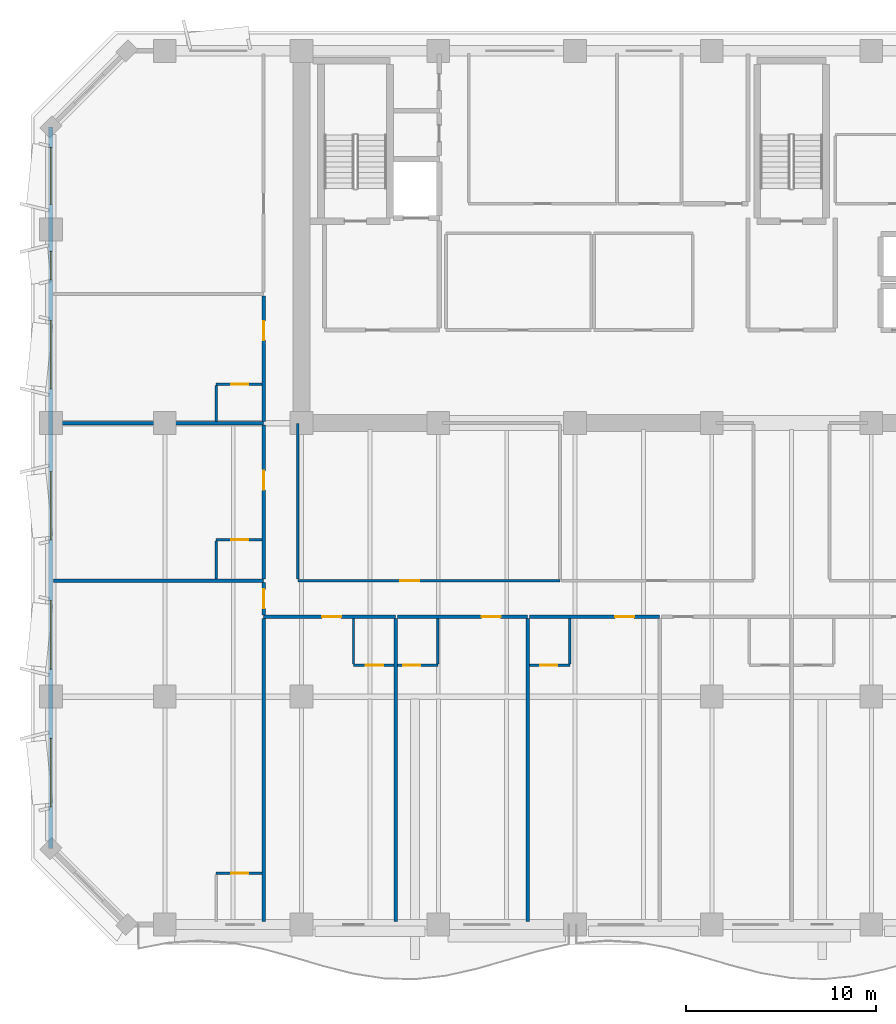
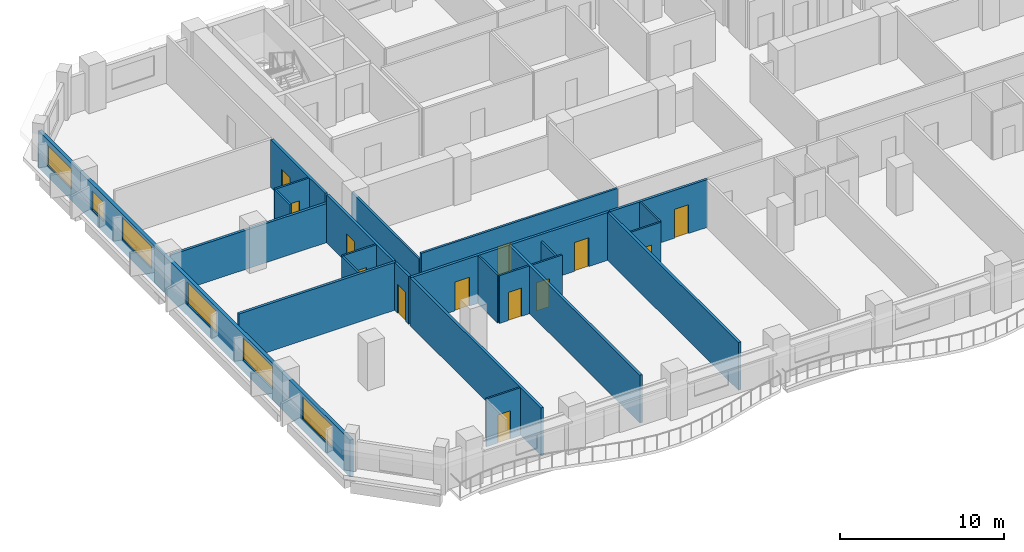
# One storey, part 4 of 14: 25 walls, 13 doors, 6 windows, 19 openings.
"""IFC4 building model written with IfcOpenShell, lengths in metres."""

from ifc_helpers import new_model, si_unit, direction, frame, frame_2d, origin, place, context, subcontext, project, spatial, rectangle, extrude, material, layer, layer_set, type_object, element, fill, save


model = new_model("IFC4")

# Units and contexts
model_context = context("Model", 3, precision=1e-05, world=origin(), true_north=direction((0.0, 1.0)))
body_context = subcontext(model_context, "Body", "Model", "MODEL_VIEW")
ifc_project = project(units=[si_unit("LENGTHUNIT", "METRE"), si_unit("AREAUNIT", "SQUARE_METRE"), si_unit("VOLUMEUNIT", "CUBIC_METRE"), si_unit("PLANEANGLEUNIT", "RADIAN"), si_unit("MASSUNIT", "GRAM", prefix="KILO")], contexts=[model_context])

# Site, building, storey
site_placement = place(None, origin())
site = spatial("IfcSite", under=ifc_project, at=site_placement, CompositionType="ELEMENT")
building_placement = place(site_placement, origin())
building = spatial("IfcBuilding", under=site, at=building_placement, Name="Kaelvorn Grand Hotel", CompositionType="ELEMENT")
storey_placement = place(building_placement, frame((0.0, 0.0, 161.949951171875)))
storey = spatial("IfcBuildingStorey", under=building, at=storey_placement, Name="L39", CompositionType="ELEMENT", Elevation=161.949951171875)

# Wall, openings, windows
ifc_material_1 = material(Name="Concrete C40/50", Category="concrete")
ifc_layer_1 = layer(ifc_material_1, 0.239990234375)
ifc_layer_set_1 = layer_set([ifc_layer_1], Name="Concrete C40/50")
wall_type_1 = type_object("IfcWallType", Name="WL-EXT-240-C40", PredefinedType="SOLIDWALL", material=ifc_layer_set_1)
wall_1_placement = place(storey_placement, frame((3.0, 45.0, 0.0), z_axis=(0.0, 0.0, 1.0), x_axis=(0.0, -1.0, 0.0)))
wall_1 = element("IfcWall", 1, at=wall_1_placement, inside=storey, type_object=wall_type_1, Name="L39 Exterior Architectural Concrete Wall 07", PredefinedType="SOLIDWALL", context=body_context, shape_type="SweptSolid", body=[
    extrude(rectangle(XDim=38.0, YDim=0.239990234375, at=frame_2d((19.0, 0.0))), origin(), (0.0, 0.0, 1.0), 2.760009765625),
])
opening_1_placement = place(wall_1_placement, frame((32.199951171875, 0.0, 0.85009765625)))
opening_1 = element("IfcOpeningElement", 2, at=opening_1_placement, cuts=wall_1, Name="Opening W3", PredefinedType="OPENING", context=body_context, shape_type="SweptSolid", body=[
    extrude(rectangle(XDim=3.60009765625, YDim=1.64990234375, at=frame_2d((1.800048828125, 0.824951171875))), frame((0.0, 0.1298828125, 0.0), z_axis=(0.0, -1.0, 0.0), x_axis=(1.0, 0.0, 0.0)), (0.0, 0.0, 1.0), 0.260009765625),
])
opening_2_placement = place(wall_1_placement, frame((24.949951171875, 0.0, 0.85009765625)))
opening_2 = element("IfcOpeningElement", 3, at=opening_2_placement, cuts=wall_1, Name="Opening W3", PredefinedType="OPENING", context=body_context, shape_type="SweptSolid", body=[
    extrude(rectangle(XDim=3.60009765625, YDim=1.64990234375, at=frame_2d((1.800048828125, 0.824951171875))), frame((0.0, 0.1298828125, 0.0), z_axis=(0.0, -1.0, 0.0), x_axis=(1.0, 0.0, 0.0)), (0.0, 0.0, 1.0), 0.260009765625),
])
opening_3_placement = place(wall_1_placement, frame((18.14990234375, 0.0, 0.85009765625)))
opening_3 = element("IfcOpeningElement", 4, at=opening_3_placement, cuts=wall_1, Name="Opening W3", PredefinedType="OPENING", context=body_context, shape_type="SweptSolid", body=[
    extrude(rectangle(XDim=3.60009765625, YDim=1.64990234375, at=frame_2d((1.800048828125, 0.824951171875))), frame((0.0, 0.1298828125, 0.0), z_axis=(0.0, -1.0, 0.0), x_axis=(1.0, 0.0, 0.0)), (0.0, 0.0, 1.0), 0.260009765625),
])
opening_4_placement = place(wall_1_placement, frame((10.199951171875, 0.0, 0.85009765625)))
opening_4 = element("IfcOpeningElement", 5, at=opening_4_placement, cuts=wall_1, Name="Opening W3", PredefinedType="OPENING", context=body_context, shape_type="SweptSolid", body=[
    extrude(rectangle(XDim=3.60009765625, YDim=1.64990234375, at=frame_2d((1.800048828125, 0.824951171875))), frame((0.0, 0.1298828125, 0.0), z_axis=(0.0, -1.0, 0.0), x_axis=(1.0, 0.0, 0.0)), (0.0, 0.0, 1.0), 0.260009765625),
])
opening_5_placement = place(wall_1_placement, frame((6.550048828125, 0.0, 0.85009765625)))
opening_5 = element("IfcOpeningElement", 6, at=opening_5_placement, cuts=wall_1, Name="Opening W10", PredefinedType="OPENING", context=body_context, shape_type="SweptSolid", body=[
    extrude(rectangle(XDim=1.5, YDim=1.39990234375, at=frame_2d((0.75, 0.699951171875))), frame((0.0, 0.1298828125, 0.0), z_axis=(0.0, -1.0, 0.0), x_axis=(1.0, 0.0, 0.0)), (0.0, 0.0, 1.0), 0.260009765625),
])
opening_6_placement = place(wall_1_placement, frame((1.0849609375, 0.0, 0.85009765625)))
opening_6 = element("IfcOpeningElement", 7, at=opening_6_placement, cuts=wall_1, Name="Opening W5", PredefinedType="OPENING", context=body_context, shape_type="SweptSolid", body=[
    extrude(rectangle(XDim=3.0, YDim=1.5, at=frame_2d((1.5, 0.75))), frame((0.0, 0.1298828125, 0.0), z_axis=(0.0, -1.0, 0.0), x_axis=(1.0, 0.0, 0.0)), (0.0, 0.0, 1.0), 0.260009765625),
])
ifc_material_2 = material(Name="Laminated Low-E Glass", Category="glass")
window_type_1 = type_object("IfcWindowType", Name="WIN-COR-1500x1400", PartitioningType="SINGLE_PANEL", PredefinedType="WINDOW", material=ifc_material_2)
window_1_placement = place(opening_5_placement, origin())
window_1 = element("IfcWindow", 8, at=window_1_placement, inside=storey, type_object=window_type_1, Name="L39 W Wing Tilted-Frame Ribbon Window W05", OverallHeight=1.39990234375, OverallWidth=1.5, PartitioningType="SINGLE_PANEL", PredefinedType="WINDOW", context=body_context, shape_type="SweptSolid", body=[
    extrude(rectangle(XDim=1.5, YDim=1.39990234375, at=frame_2d((0.75, 0.699951171875))), frame((0.0, 0.030029296875, 0.0), z_axis=(0.0, -1.0, 0.0), x_axis=(1.0, 0.0, 0.0)), (0.0, 0.0, 1.0), 0.06005859375),
])
fill(opening_5, window_1)
window_type_2 = type_object("IfcWindowType", Name="WIN-NTH-3000x1500", PartitioningType="SINGLE_PANEL", PredefinedType="WINDOW", material=ifc_material_2)
window_2_placement = place(opening_6_placement, origin())
window_2 = element("IfcWindow", 9, at=window_2_placement, inside=storey, type_object=window_type_2, Name="L39 W Wing Tilted-Frame Ribbon Window W06", OverallHeight=1.5, OverallWidth=3.0, PartitioningType="SINGLE_PANEL", PredefinedType="WINDOW", context=body_context, shape_type="SweptSolid", body=[
    extrude(rectangle(XDim=3.0, YDim=1.5, at=frame_2d((1.5, 0.75))), frame((0.0, 0.030029296875, 0.0), z_axis=(0.0, -1.0, 0.0), x_axis=(1.0, 0.0, 0.0)), (0.0, 0.0, 1.0), 0.06005859375),
])
fill(opening_6, window_2)
window_type_3 = type_object("IfcWindowType", Name="WIN-RIB-3600x1750", PartitioningType="SINGLE_PANEL", PredefinedType="WINDOW", material=ifc_material_2)
window_3_placement = place(opening_1_placement, origin())
window_3 = element("IfcWindow", 10, at=window_3_placement, inside=storey, type_object=window_type_3, Name="L39 W Wing Tilted-Frame Ribbon Window W01", OverallHeight=1.64990234375, OverallWidth=3.60009765625, PartitioningType="SINGLE_PANEL", PredefinedType="WINDOW", context=body_context, shape_type="SweptSolid", body=[
    extrude(rectangle(XDim=3.60009765625, YDim=1.64990234375, at=frame_2d((1.800048828125, 0.824951171875))), frame((0.0, 0.030029296875, 0.0), z_axis=(0.0, -1.0, 0.0), x_axis=(1.0, 0.0, 0.0)), (0.0, 0.0, 1.0), 0.06005859375),
])
fill(opening_1, window_3)
window_4_placement = place(opening_2_placement, origin())
window_4 = element("IfcWindow", 11, at=window_4_placement, inside=storey, type_object=window_type_3, Name="L39 W Wing Tilted-Frame Ribbon Window W02", OverallHeight=1.64990234375, OverallWidth=3.60009765625, PartitioningType="SINGLE_PANEL", PredefinedType="WINDOW", context=body_context, shape_type="SweptSolid", body=[
    extrude(rectangle(XDim=3.60009765625, YDim=1.64990234375, at=frame_2d((1.800048828125, 0.824951171875))), frame((0.0, 0.030029296875, 0.0), z_axis=(0.0, -1.0, 0.0), x_axis=(1.0, 0.0, 0.0)), (0.0, 0.0, 1.0), 0.06005859375),
])
fill(opening_2, window_4)
window_5_placement = place(opening_3_placement, origin())
window_5 = element("IfcWindow", 12, at=window_5_placement, inside=storey, type_object=window_type_3, Name="L39 W Wing Tilted-Frame Ribbon Window W03", OverallHeight=1.64990234375, OverallWidth=3.60009765625, PartitioningType="SINGLE_PANEL", PredefinedType="WINDOW", context=body_context, shape_type="SweptSolid", body=[
    extrude(rectangle(XDim=3.60009765625, YDim=1.64990234375, at=frame_2d((1.800048828125, 0.824951171875))), frame((0.0, 0.030029296875, 0.0), z_axis=(0.0, -1.0, 0.0), x_axis=(1.0, 0.0, 0.0)), (0.0, 0.0, 1.0), 0.06005859375),
])
fill(opening_3, window_5)
window_6_placement = place(opening_4_placement, origin())
window_6 = element("IfcWindow", 13, at=window_6_placement, inside=storey, type_object=window_type_3, Name="L39 W Wing Tilted-Frame Ribbon Window W04", OverallHeight=1.64990234375, OverallWidth=3.60009765625, PartitioningType="SINGLE_PANEL", PredefinedType="WINDOW", context=body_context, shape_type="SweptSolid", body=[
    extrude(rectangle(XDim=3.60009765625, YDim=1.64990234375, at=frame_2d((1.800048828125, 0.824951171875))), frame((0.0, 0.030029296875, 0.0), z_axis=(0.0, -1.0, 0.0), x_axis=(1.0, 0.0, 0.0)), (0.0, 0.0, 1.0), 0.06005859375),
])
fill(opening_4, window_6)

# Wall, opening, door
ifc_material_3 = material(Name="Moisture-Resistant Tile & Stud Board")
ifc_layer_2 = layer(ifc_material_3, 0.125)
ifc_layer_set_2 = layer_set([ifc_layer_2], Name="Moisture-Resistant Tile & Stud Board")
wall_type_2 = type_object("IfcWallType", Name="WL-PART-125-WET", PredefinedType="PARTITIONING", material=ifc_layer_set_2)
wall_2_placement = place(storey_placement, frame((18.929931640625, 16.64990234375, 0.0), z_axis=(0.0, 0.0, 1.0), x_axis=(1.0, 0.0, 0.0)))
wall_2 = element("IfcWall", 14, at=wall_2_placement, inside=storey, type_object=wall_type_2, Name="L39 En-suite Bathroom L39-01 S Partition", PredefinedType="PARTITIONING", context=body_context, shape_type="SweptSolid", body=[
    extrude(rectangle(XDim=2.125, YDim=0.125, at=frame_2d((1.0625, 0.0))), origin(), (0.0, 0.0, 1.0), 3.56005859375),
])
opening_7_placement = place(wall_2_placement, frame((0.659912109375, 0.0, 0.0)))
opening_7 = element("IfcOpeningElement", 15, at=opening_7_placement, cuts=wall_2, Name="Opening DI4", PredefinedType="OPENING", context=body_context, shape_type="SweptSolid", body=[
    extrude(rectangle(XDim=0.89990234375, YDim=2.10009765625, at=frame_2d((0.449951171875, 1.050048828125))), frame((0.0, 0.072509765625, 0.0), z_axis=(0.0, -1.0, 0.0), x_axis=(1.0, 0.0, 0.0)), (0.0, 0.0, 1.0), 0.14501953125),
])
ifc_material_4 = material(Name="Timber Veneer Leaf", Category="wood")
door_type_1 = type_object("IfcDoorType", Name="DR-INT-BATH-900x2100", OperationType="NOTDEFINED", PredefinedType="DOOR", material=ifc_material_4)
door_1_placement = place(opening_7_placement, origin())
door_1 = element("IfcDoor", 16, at=door_1_placement, inside=storey, type_object=door_type_1, Name="L39 En-suite Bathroom L39-01 Door", OperationType="SINGLE_SWING_RIGHT", OverallHeight=2.10009765625, OverallWidth=0.89990234375, PredefinedType="DOOR", context=body_context, shape_type="SweptSolid", body=[
    extrude(rectangle(XDim=0.89990234375, YDim=2.10009765625, at=frame_2d((0.449951171875, 1.050048828125))), frame((0.0, 0.02490234375, 0.0), z_axis=(0.0, -1.0, 0.0), x_axis=(1.0, 0.0, 0.0)), (0.0, 0.0, 1.0), 0.050048828125),
])
fill(opening_7, door_1)

# Wall
wall_3_placement = place(storey_placement, frame((18.929931640625, 16.717529296875, 0.0), z_axis=(0.0, 0.0, 1.0), x_axis=(0.0, 1.0, 0.0)))
element("IfcWall", 17, at=wall_3_placement, inside=storey, type_object=wall_type_2, Name="L39 En-suite Bathroom L39-01 W Partition", PredefinedType="PARTITIONING", context=body_context, shape_type="SweptSolid", body=[
    extrude(rectangle(XDim=2.387451171875, YDim=0.125, at=frame_2d((1.19384765625, 0.0))), origin(), (0.0, 0.0, 1.0), 3.56005859375),
])

# Wall, opening, door
wall_4_placement = place(storey_placement, frame((21.2451171875, 16.64990234375, 0.0), z_axis=(0.0, 0.0, 1.0), x_axis=(1.0, 0.0, 0.0)))
wall_4 = element("IfcWall", 18, at=wall_4_placement, inside=storey, type_object=wall_type_2, Name="L39 En-suite Bathroom L39-02 S Partition", PredefinedType="PARTITIONING", context=body_context, shape_type="SweptSolid", body=[
    extrude(rectangle(XDim=2.125, YDim=0.125, at=frame_2d((1.0625, 0.0))), origin(), (0.0, 0.0, 1.0), 3.56005859375),
])
opening_8_placement = place(wall_4_placement, frame((0.31494140625, 0.0, 0.0)))
opening_8 = element("IfcOpeningElement", 19, at=opening_8_placement, cuts=wall_4, Name="Opening DI4", PredefinedType="OPENING", context=body_context, shape_type="SweptSolid", body=[
    extrude(rectangle(XDim=0.89990234375, YDim=2.10009765625, at=frame_2d((0.449951171875, 1.050048828125))), frame((0.0, 0.072509765625, 0.0), z_axis=(0.0, -1.0, 0.0), x_axis=(1.0, 0.0, 0.0)), (0.0, 0.0, 1.0), 0.14501953125),
])
door_2_placement = place(opening_8_placement, origin())
door_2 = element("IfcDoor", 20, at=door_2_placement, inside=storey, type_object=door_type_1, Name="L39 En-suite Bathroom L39-02 Door", OperationType="SINGLE_SWING_RIGHT", OverallHeight=2.10009765625, OverallWidth=0.89990234375, PredefinedType="DOOR", context=body_context, shape_type="SweptSolid", body=[
    extrude(rectangle(XDim=0.89990234375, YDim=2.10009765625, at=frame_2d((0.449951171875, 1.050048828125))), frame((0.0, 0.02490234375, 0.0), z_axis=(0.0, -1.0, 0.0), x_axis=(1.0, 0.0, 0.0)), (0.0, 0.0, 1.0), 0.050048828125),
])
fill(opening_8, door_2)

# Wall
wall_5_placement = place(storey_placement, frame((23.3701171875, 16.717529296875, 0.0), z_axis=(0.0, 0.0, 1.0), x_axis=(0.0, 1.0, 0.0)))
element("IfcWall", 21, at=wall_5_placement, inside=storey, type_object=wall_type_2, Name="L39 En-suite Bathroom L39-02 E Partition", PredefinedType="PARTITIONING", context=body_context, shape_type="SweptSolid", body=[
    extrude(rectangle(XDim=2.387451171875, YDim=0.125, at=frame_2d((1.19384765625, 0.0))), origin(), (0.0, 0.0, 1.0), 3.06005859375),
])

# Wall, opening, door
wall_6_placement = place(storey_placement, frame((28.195068359375, 16.64990234375, 0.0), z_axis=(0.0, 0.0, 1.0), x_axis=(1.0, 0.0, 0.0)))
wall_6 = element("IfcWall", 22, at=wall_6_placement, inside=storey, type_object=wall_type_2, Name="L39 En-suite Bathroom L39-03 S Partition", PredefinedType="PARTITIONING", context=body_context, shape_type="SweptSolid", body=[
    extrude(rectangle(XDim=2.125, YDim=0.125, at=frame_2d((1.0625, 0.0))), origin(), (0.0, 0.0, 1.0), 3.56005859375),
])
opening_9_placement = place(wall_6_placement, frame((0.56494140625, 0.0, 0.0)))
opening_9 = element("IfcOpeningElement", 23, at=opening_9_placement, cuts=wall_6, Name="Opening DI4", PredefinedType="OPENING", context=body_context, shape_type="SweptSolid", body=[
    extrude(rectangle(XDim=0.89990234375, YDim=2.10009765625, at=frame_2d((0.449951171875, 1.050048828125))), frame((0.0, 0.072509765625, 0.0), z_axis=(0.0, -1.0, 0.0), x_axis=(1.0, 0.0, 0.0)), (0.0, 0.0, 1.0), 0.14501953125),
])
door_3_placement = place(opening_9_placement, origin())
door_3 = element("IfcDoor", 24, at=door_3_placement, inside=storey, type_object=door_type_1, Name="L39 En-suite Bathroom L39-03 Door", OperationType="SINGLE_SWING_RIGHT", OverallHeight=2.10009765625, OverallWidth=0.89990234375, PredefinedType="DOOR", context=body_context, shape_type="SweptSolid", body=[
    extrude(rectangle(XDim=0.89990234375, YDim=2.10009765625, at=frame_2d((0.449951171875, 1.050048828125))), frame((0.0, 0.02490234375, 0.0), z_axis=(0.0, -1.0, 0.0), x_axis=(1.0, 0.0, 0.0)), (0.0, 0.0, 1.0), 0.050048828125),
])
fill(opening_9, door_3)

# Wall
wall_7_placement = place(storey_placement, frame((30.320068359375, 16.717529296875, 0.0), z_axis=(0.0, 0.0, 1.0), x_axis=(0.0, 1.0, 0.0)))
element("IfcWall", 25, at=wall_7_placement, inside=storey, type_object=wall_type_2, Name="L39 En-suite Bathroom L39-03 E Partition", PredefinedType="PARTITIONING", context=body_context, shape_type="SweptSolid", body=[
    extrude(rectangle(XDim=2.387451171875, YDim=0.125, at=frame_2d((1.19384765625, 0.0))), origin(), (0.0, 0.0, 1.0), 3.56005859375),
])

# Wall, opening, door
wall_8_placement = place(storey_placement, frame((11.699951171875, 5.699951171875, 0.0), z_axis=(0.0, 0.0, 1.0), x_axis=(1.0, 0.0, 0.0)))
wall_8 = element("IfcWall", 26, at=wall_8_placement, inside=storey, type_object=wall_type_2, Name="L39 En-suite Bathroom L39-09 N Partition", PredefinedType="PARTITIONING", context=body_context, shape_type="SweptSolid", body=[
    extrude(rectangle(XDim=2.405029296875, YDim=0.125, at=frame_2d((1.20263671875, 0.0))), origin(), (0.0, 0.0, 1.0), 3.56005859375),
])
opening_10_placement = place(wall_8_placement, frame((0.800048828125, 0.0, 0.0)))
opening_10 = element("IfcOpeningElement", 27, at=opening_10_placement, cuts=wall_8, Name="Opening DI4", PredefinedType="OPENING", context=body_context, shape_type="SweptSolid", body=[
    extrude(rectangle(XDim=0.89990234375, YDim=2.10009765625, at=frame_2d((0.449951171875, 1.050048828125))), frame((0.0, 0.072509765625, 0.0), z_axis=(0.0, -1.0, 0.0), x_axis=(1.0, 0.0, 0.0)), (0.0, 0.0, 1.0), 0.14501953125),
])
door_4_placement = place(opening_10_placement, origin())
door_4 = element("IfcDoor", 28, at=door_4_placement, inside=storey, type_object=door_type_1, Name="L39 En-suite Bathroom L39-09 Door", OperationType="SINGLE_SWING_RIGHT", OverallHeight=2.10009765625, OverallWidth=0.89990234375, PredefinedType="DOOR", context=body_context, shape_type="SweptSolid", body=[
    extrude(rectangle(XDim=0.89990234375, YDim=2.10009765625, at=frame_2d((0.449951171875, 1.050048828125))), frame((0.0, 0.02490234375, 0.0), z_axis=(0.0, -1.0, 0.0), x_axis=(1.0, 0.0, 0.0)), (0.0, 0.0, 1.0), 0.050048828125),
])
fill(opening_10, door_4)

wall_9_placement = place(storey_placement, frame((11.699951171875, 23.260009765625, 0.0), z_axis=(0.0, 0.0, 1.0), x_axis=(1.0, 0.0, 0.0)))
wall_9 = element("IfcWall", 29, at=wall_9_placement, inside=storey, type_object=wall_type_2, Name="L39 En-suite Bathroom L39-10 N Partition", PredefinedType="PARTITIONING", context=body_context, shape_type="SweptSolid", body=[
    extrude(rectangle(XDim=2.405029296875, YDim=0.125, at=frame_2d((1.20263671875, 0.0))), origin(), (0.0, 0.0, 1.0), 3.56005859375),
])
opening_11_placement = place(wall_9_placement, frame((0.800048828125, 0.0, 0.0)))
opening_11 = element("IfcOpeningElement", 30, at=opening_11_placement, cuts=wall_9, Name="Opening DI4", PredefinedType="OPENING", context=body_context, shape_type="SweptSolid", body=[
    extrude(rectangle(XDim=0.89990234375, YDim=2.10009765625, at=frame_2d((0.449951171875, 1.050048828125))), frame((0.0, 0.072509765625, 0.0), z_axis=(0.0, -1.0, 0.0), x_axis=(1.0, 0.0, 0.0)), (0.0, 0.0, 1.0), 0.14501953125),
])
door_5_placement = place(opening_11_placement, origin())
door_5 = element("IfcDoor", 31, at=door_5_placement, inside=storey, type_object=door_type_1, Name="L39 En-suite Bathroom L39-10 Door", OperationType="SINGLE_SWING_RIGHT", OverallHeight=2.10009765625, OverallWidth=0.89990234375, PredefinedType="DOOR", context=body_context, shape_type="SweptSolid", body=[
    extrude(rectangle(XDim=0.89990234375, YDim=2.10009765625, at=frame_2d((0.449951171875, 1.050048828125))), frame((0.0, 0.02490234375, 0.0), z_axis=(0.0, -1.0, 0.0), x_axis=(1.0, 0.0, 0.0)), (0.0, 0.0, 1.0), 0.050048828125),
])
fill(opening_11, door_5)

# Wall
wall_10_placement = place(storey_placement, frame((11.699951171875, 21.195068359375, 0.0), z_axis=(0.0, 0.0, 1.0), x_axis=(0.0, 1.0, 0.0)))
element("IfcWall", 32, at=wall_10_placement, inside=storey, type_object=wall_type_2, Name="L39 En-suite Bathroom L39-10 W Partition", PredefinedType="PARTITIONING", context=body_context, shape_type="SweptSolid", body=[
    extrude(rectangle(XDim=1.997314453125, YDim=0.125, at=frame_2d((0.99853515625, 0.0))), origin(), (0.0, 0.0, 1.0), 3.56005859375),
])

# Wall, opening, door
wall_11_placement = place(storey_placement, frame((11.699951171875, 31.449951171875, 0.0), z_axis=(0.0, 0.0, 1.0), x_axis=(1.0, 0.0, 0.0)))
wall_11 = element("IfcWall", 33, at=wall_11_placement, inside=storey, type_object=wall_type_2, Name="L39 En-suite Bathroom L39-13 N Partition", PredefinedType="PARTITIONING", context=body_context, shape_type="SweptSolid", body=[
    extrude(rectangle(XDim=2.405029296875, YDim=0.125, at=frame_2d((1.20263671875, 0.0))), origin(), (0.0, 0.0, 1.0), 3.56005859375),
])
opening_12_placement = place(wall_11_placement, frame((0.800048828125, 0.0, 0.0)))
opening_12 = element("IfcOpeningElement", 34, at=opening_12_placement, cuts=wall_11, Name="Opening DI4", PredefinedType="OPENING", context=body_context, shape_type="SweptSolid", body=[
    extrude(rectangle(XDim=0.89990234375, YDim=2.10009765625, at=frame_2d((0.449951171875, 1.050048828125))), frame((0.0, 0.072509765625, 0.0), z_axis=(0.0, -1.0, 0.0), x_axis=(1.0, 0.0, 0.0)), (0.0, 0.0, 1.0), 0.14501953125),
])
door_6_placement = place(opening_12_placement, origin())
door_6 = element("IfcDoor", 35, at=door_6_placement, inside=storey, type_object=door_type_1, Name="L39 En-suite Bathroom L39-13 Door", OperationType="SINGLE_SWING_RIGHT", OverallHeight=2.10009765625, OverallWidth=0.89990234375, PredefinedType="DOOR", context=body_context, shape_type="SweptSolid", body=[
    extrude(rectangle(XDim=0.89990234375, YDim=2.10009765625, at=frame_2d((0.449951171875, 1.050048828125))), frame((0.0, 0.02490234375, 0.0), z_axis=(0.0, -1.0, 0.0), x_axis=(1.0, 0.0, 0.0)), (0.0, 0.0, 1.0), 0.050048828125),
])
fill(opening_12, door_6)

# Wall
wall_12_placement = place(storey_placement, frame((11.699951171875, 29.4951171875, 0.0), z_axis=(0.0, 0.0, 1.0), x_axis=(0.0, 1.0, 0.0)))
element("IfcWall", 36, at=wall_12_placement, inside=storey, type_object=wall_type_2, Name="L39 En-suite Bathroom L39-13 W Partition", PredefinedType="PARTITIONING", context=body_context, shape_type="SweptSolid", body=[
    extrude(rectangle(XDim=1.887451171875, YDim=0.125, at=frame_2d((0.94384765625, 0.0))), origin(), (0.0, 0.0, 1.0), 3.56005859375),
])

# Wall, opening, door
ifc_material_5 = material(Name="Acoustic Gypsum & Stud Partition")
ifc_layer_3 = layer(ifc_material_5, 0.14990234375)
ifc_layer_set_3 = layer_set([ifc_layer_3], Name="Acoustic Gypsum & Stud Partition")
wall_type_3 = type_object("IfcWallType", Name="WL-PART-150-EI60", PredefinedType="PARTITIONING", material=ifc_layer_set_3)
wall_13_placement = place(storey_placement, frame((16.0, 21.10009765625, 0.0), z_axis=(0.0, 0.0, 1.0), x_axis=(1.0, 0.0, 0.0)))
wall_13 = element("IfcWall", 37, at=wall_13_placement, inside=storey, type_object=wall_type_3, Name="L39 Wellness Spa Salon S Partition", PredefinedType="PARTITIONING", context=body_context, shape_type="SweptSolid", body=[
    extrude(rectangle(XDim=13.800048828125, YDim=0.14990234375, at=frame_2d((6.89990234375, 0.0))), origin(), (0.0, 0.0, 1.0), 3.56005859375),
])
opening_13_placement = place(wall_13_placement, frame((5.39990234375, 0.0, 0.0)))
opening_13 = element("IfcOpeningElement", 38, at=opening_13_placement, cuts=wall_13, Name="Opening DI3", PredefinedType="OPENING", context=body_context, shape_type="SweptSolid", body=[
    extrude(rectangle(XDim=1.0, YDim=2.14990234375, at=frame_2d((0.5, 1.074951171875))), frame((0.0, 0.0849609375, 0.0), z_axis=(0.0, -1.0, 0.0), x_axis=(1.0, 0.0, 0.0)), (0.0, 0.0, 1.0), 0.169921875),
])
ifc_material_6 = material(Name="Timber Veneer Fire Leaf", Category="wood")
door_type_2 = type_object("IfcDoorType", Name="DR-INT-GUEST-1000x2150", OperationType="NOTDEFINED", PredefinedType="DOOR", material=ifc_material_6)
door_7_placement = place(opening_13_placement, origin())
door_7 = element("IfcDoor", 39, at=door_7_placement, inside=storey, type_object=door_type_2, Name="L39 Wellness Spa Salon Door", OperationType="SINGLE_SWING_LEFT", OverallHeight=2.14990234375, OverallWidth=1.0, PredefinedType="DOOR", context=body_context, shape_type="SweptSolid", body=[
    extrude(rectangle(XDim=1.0, YDim=2.14990234375, at=frame_2d((0.5, 1.074951171875))), frame((0.0, 0.02490234375, 0.0), z_axis=(0.0, -1.0, 0.0), x_axis=(1.0, 0.0, 0.0)), (0.0, 0.0, 1.0), 0.050048828125),
])
fill(opening_13, door_7)

# Wall
wall_14_placement = place(storey_placement, frame((16.0, 21.179931640625, 0.0), z_axis=(0.0, 0.0, 1.0), x_axis=(0.0, 1.0, 0.0)))
element("IfcWall", 40, at=wall_14_placement, inside=storey, type_object=wall_type_3, Name="L39 Wellness Spa Salon W Partition", PredefinedType="PARTITIONING", context=body_context, shape_type="SweptSolid", body=[
    extrude(rectangle(XDim=8.2099609375, YDim=0.14990234375, at=frame_2d((4.10498046875, 0.0))), origin(), (0.0, 0.0, 1.0), 3.06005859375),
])

# Wall, opening, door
ifc_layer_4 = layer(ifc_material_5, 0.179931640625)
ifc_layer_set_4 = layer_set([ifc_layer_4], Name="Acoustic Gypsum & Stud Partition")
wall_type_4 = type_object("IfcWallType", Name="WL-PART-180-EI60", PredefinedType="PARTITIONING", material=ifc_layer_set_4)
wall_15_placement = place(storey_placement, frame((14.199951171875, 19.199951171875, 0.0), z_axis=(0.0, 0.0, 1.0), x_axis=(1.0, 0.0, 0.0)))
wall_15 = element("IfcWall", 41, at=wall_15_placement, inside=storey, type_object=wall_type_4, Name="L39 Mid-Rise Signature Suite L39-01 N Partition", PredefinedType="PARTITIONING", context=body_context, shape_type="SweptSolid", body=[
    extrude(rectangle(XDim=6.949951171875, YDim=0.179931640625, at=frame_2d((3.47509765625, 0.0))), origin(), (0.0, 0.0, 1.0), 3.56005859375),
])
opening_14_placement = place(wall_15_placement, frame((3.080078125, 0.0, 0.0)))
opening_14 = element("IfcOpeningElement", 42, at=opening_14_placement, cuts=wall_15, Name="Opening DI3", PredefinedType="OPENING", context=body_context, shape_type="SweptSolid", body=[
    extrude(rectangle(XDim=1.0, YDim=2.14990234375, at=frame_2d((0.5, 1.074951171875))), frame((0.0, 0.10009765625, 0.0), z_axis=(0.0, -1.0, 0.0), x_axis=(1.0, 0.0, 0.0)), (0.0, 0.0, 1.0), 0.199951171875),
])
door_8_placement = place(opening_14_placement, origin())
door_8 = element("IfcDoor", 43, at=door_8_placement, inside=storey, type_object=door_type_2, Name="L39 Mid-Rise Signature Suite L39-01 Door", OperationType="SINGLE_SWING_LEFT", OverallHeight=2.14990234375, OverallWidth=1.0, PredefinedType="DOOR", context=body_context, shape_type="SweptSolid", body=[
    extrude(rectangle(XDim=1.0, YDim=2.14990234375, at=frame_2d((0.5, 1.074951171875))), frame((0.0, 0.02490234375, 0.0), z_axis=(0.0, -1.0, 0.0), x_axis=(1.0, 0.0, 0.0)), (0.0, 0.0, 1.0), 0.050048828125),
])
fill(opening_14, door_8)

# Walls
for number, where, z_axis, x_axis, name in (
    (44, (14.199951171875, 3.14990234375, 0.0), (0.0, 0.0, 1.0), (0.0, 1.0, 0.0), "L39 Mid-Rise Signature Suite L39-01 W Partition"),
    (45, (21.14990234375, 3.14990234375, 0.0), (0.0, 0.0, 1.0), (0.0, 1.0, 0.0), "L39 Mid-Rise Signature Suite L39-01 E Partition"),
):
    element("IfcWall", number, at=place(storey_placement, frame(where, z_axis=z_axis, x_axis=x_axis)), inside=storey, type_object=wall_type_4, Name=name, PredefinedType="PARTITIONING", context=body_context, shape_type="SweptSolid", body=[
        extrude(rectangle(XDim=15.955078125, YDim=0.179931640625, at=frame_2d((7.9775390625, 0.0))), origin(), (0.0, 0.0, 1.0), 3.56005859375),
    ])

# Wall, opening, door
wall_16_placement = place(storey_placement, frame((21.2451171875, 19.199951171875, 0.0), z_axis=(0.0, 0.0, 1.0), x_axis=(1.0, 0.0, 0.0)))
wall_16 = element("IfcWall", 46, at=wall_16_placement, inside=storey, type_object=wall_type_4, Name="L39 Mid-Rise Signature Suite L39-02 N Partition", PredefinedType="PARTITIONING", context=body_context, shape_type="SweptSolid", body=[
    extrude(rectangle(XDim=6.85498046875, YDim=0.179931640625, at=frame_2d((3.427490234375, 0.0))), origin(), (0.0, 0.0, 1.0), 3.56005859375),
])
opening_15_placement = place(wall_16_placement, frame((4.43994140625, 0.0, 0.0)))
opening_15 = element("IfcOpeningElement", 47, at=opening_15_placement, cuts=wall_16, Name="Opening DI3", PredefinedType="OPENING", context=body_context, shape_type="SweptSolid", body=[
    extrude(rectangle(XDim=1.0, YDim=2.14990234375, at=frame_2d((0.5, 1.074951171875))), frame((0.0, 0.10009765625, 0.0), z_axis=(0.0, -1.0, 0.0), x_axis=(1.0, 0.0, 0.0)), (0.0, 0.0, 1.0), 0.199951171875),
])
door_9_placement = place(opening_15_placement, origin())
door_9 = element("IfcDoor", 48, at=door_9_placement, inside=storey, type_object=door_type_2, Name="L39 Mid-Rise Signature Suite L39-02 Door", OperationType="SINGLE_SWING_LEFT", OverallHeight=2.14990234375, OverallWidth=1.0, PredefinedType="DOOR", context=body_context, shape_type="SweptSolid", body=[
    extrude(rectangle(XDim=1.0, YDim=2.14990234375, at=frame_2d((0.5, 1.074951171875))), frame((0.0, 0.02490234375, 0.0), z_axis=(0.0, -1.0, 0.0), x_axis=(1.0, 0.0, 0.0)), (0.0, 0.0, 1.0), 0.050048828125),
])
fill(opening_15, door_9)

# Wall
wall_17_placement = place(storey_placement, frame((28.10009765625, 3.14990234375, 0.0), z_axis=(0.0, 0.0, 1.0), x_axis=(0.0, 1.0, 0.0)))
element("IfcWall", 49, at=wall_17_placement, inside=storey, type_object=wall_type_4, Name="L39 Mid-Rise Signature Suite L39-02 E Partition", PredefinedType="PARTITIONING", context=body_context, shape_type="SweptSolid", body=[
    extrude(rectangle(XDim=15.955078125, YDim=0.179931640625, at=frame_2d((7.9775390625, 0.0))), origin(), (0.0, 0.0, 1.0), 3.56005859375),
])

# Wall, opening, door
wall_18_placement = place(storey_placement, frame((28.195068359375, 19.199951171875, 0.0), z_axis=(0.0, 0.0, 1.0), x_axis=(1.0, 0.0, 0.0)))
wall_18 = element("IfcWall", 50, at=wall_18_placement, inside=storey, type_object=wall_type_4, Name="L39 Mid-Rise Signature Suite L39-03 N Partition", PredefinedType="PARTITIONING", context=body_context, shape_type="SweptSolid", body=[
    extrude(rectangle(XDim=6.85498046875, YDim=0.179931640625, at=frame_2d((3.427490234375, 0.0))), origin(), (0.0, 0.0, 1.0), 3.56005859375),
])
opening_16_placement = place(wall_18_placement, frame((4.52001953125, 0.0, 0.0)))
opening_16 = element("IfcOpeningElement", 51, at=opening_16_placement, cuts=wall_18, Name="Opening DI3", PredefinedType="OPENING", context=body_context, shape_type="SweptSolid", body=[
    extrude(rectangle(XDim=1.0, YDim=2.14990234375, at=frame_2d((0.5, 1.074951171875))), frame((0.0, 0.10009765625, 0.0), z_axis=(0.0, -1.0, 0.0), x_axis=(1.0, 0.0, 0.0)), (0.0, 0.0, 1.0), 0.199951171875),
])
door_10_placement = place(opening_16_placement, origin())
door_10 = element("IfcDoor", 52, at=door_10_placement, inside=storey, type_object=door_type_2, Name="L39 Mid-Rise Signature Suite L39-03 Door", OperationType="SINGLE_SWING_LEFT", OverallHeight=2.14990234375, OverallWidth=1.0, PredefinedType="DOOR", context=body_context, shape_type="SweptSolid", body=[
    extrude(rectangle(XDim=1.0, YDim=2.14990234375, at=frame_2d((0.5, 1.074951171875))), frame((0.0, 0.02490234375, 0.0), z_axis=(0.0, -1.0, 0.0), x_axis=(1.0, 0.0, 0.0)), (0.0, 0.0, 1.0), 0.050048828125),
])
fill(opening_16, door_10)

# Wall
wall_19_placement = place(storey_placement, frame((3.14990234375, 21.10009765625, 0.0), z_axis=(0.0, 0.0, 1.0), x_axis=(1.0, 0.0, 0.0)))
element("IfcWall", 53, at=wall_19_placement, inside=storey, type_object=wall_type_4, Name="L39 South-West Chamfer Suite L39-09 N Partition", PredefinedType="PARTITIONING", context=body_context, shape_type="SweptSolid", body=[
    extrude(rectangle(XDim=11.050048828125, YDim=0.179931640625, at=frame_2d((5.52490234375, 0.0))), origin(), (0.0, 0.0, 1.0), 3.56005859375),
])

# Wall, opening, door
wall_20_placement = place(storey_placement, frame((14.199951171875, 19.294921875, 0.0), z_axis=(0.0, 0.0, 1.0), x_axis=(0.0, 1.0, 0.0)))
wall_20 = element("IfcWall", 54, at=wall_20_placement, inside=storey, type_object=wall_type_4, Name="L39 South-West Chamfer Suite L39-09 E Partition", PredefinedType="PARTITIONING", context=body_context, shape_type="SweptSolid", body=[
    extrude(rectangle(XDim=1.7099609375, YDim=0.179931640625, at=frame_2d((0.85498046875, 0.0))), origin(), (0.0, 0.0, 1.0), 3.56005859375),
])
opening_17_placement = place(wall_20_placement, frame((0.35498046875, 0.0, 0.0)))
opening_17 = element("IfcOpeningElement", 55, at=opening_17_placement, cuts=wall_20, Name="Opening DI3", PredefinedType="OPENING", context=body_context, shape_type="SweptSolid", body=[
    extrude(rectangle(XDim=1.0, YDim=2.14990234375, at=frame_2d((0.5, 1.074951171875))), frame((0.0, 0.10009765625, 0.0), z_axis=(0.0, -1.0, 0.0), x_axis=(1.0, 0.0, 0.0)), (0.0, 0.0, 1.0), 0.199951171875),
])
door_11_placement = place(opening_17_placement, origin())
door_11 = element("IfcDoor", 56, at=door_11_placement, inside=storey, type_object=door_type_2, Name="L39 South-West Chamfer Suite L39-09 Door", OperationType="SINGLE_SWING_LEFT", OverallHeight=2.14990234375, OverallWidth=1.0, PredefinedType="DOOR", context=body_context, shape_type="SweptSolid", body=[
    extrude(rectangle(XDim=1.0, YDim=2.14990234375, at=frame_2d((0.5, 1.074951171875))), frame((0.0, 0.02490234375, 0.0), z_axis=(0.0, -1.0, 0.0), x_axis=(1.0, 0.0, 0.0)), (0.0, 0.0, 1.0), 0.050048828125),
])
fill(opening_17, door_11)

# Wall
wall_21_placement = place(storey_placement, frame((3.14990234375, 29.39990234375, 0.0), z_axis=(0.0, 0.0, 1.0), x_axis=(1.0, 0.0, 0.0)))
element("IfcWall", 57, at=wall_21_placement, inside=storey, type_object=wall_type_4, Name="L39 West End Panoramic Suite L39-10 N Partition", PredefinedType="PARTITIONING", context=body_context, shape_type="SweptSolid", body=[
    extrude(rectangle(XDim=11.050048828125, YDim=0.179931640625, at=frame_2d((5.52490234375, 0.0))), origin(), (0.0, 0.0, 1.0), 2.91015625),
])

# Wall, opening, door
wall_22_placement = place(storey_placement, frame((14.199951171875, 21.195068359375, 0.0), z_axis=(0.0, 0.0, 1.0), x_axis=(0.0, 1.0, 0.0)))
wall_22 = element("IfcWall", 58, at=wall_22_placement, inside=storey, type_object=wall_type_4, Name="L39 West End Panoramic Suite L39-10 E Partition", PredefinedType="PARTITIONING", context=body_context, shape_type="SweptSolid", body=[
    extrude(rectangle(XDim=8.10986328125, YDim=0.179931640625, at=frame_2d((4.054931640625, 0.0))), origin(), (0.0, 0.0, 1.0), 3.56005859375),
])
opening_18_placement = place(wall_22_placement, frame((4.695068359375, 0.0, 0.0)))
opening_18 = element("IfcOpeningElement", 59, at=opening_18_placement, cuts=wall_22, Name="Opening DI3", PredefinedType="OPENING", context=body_context, shape_type="SweptSolid", body=[
    extrude(rectangle(XDim=1.0, YDim=2.14990234375, at=frame_2d((0.5, 1.074951171875))), frame((0.0, 0.10009765625, 0.0), z_axis=(0.0, -1.0, 0.0), x_axis=(1.0, 0.0, 0.0)), (0.0, 0.0, 1.0), 0.199951171875),
])
door_12_placement = place(opening_18_placement, origin())
door_12 = element("IfcDoor", 60, at=door_12_placement, inside=storey, type_object=door_type_2, Name="L39 West End Panoramic Suite L39-10 Door", OperationType="SINGLE_SWING_LEFT", OverallHeight=2.14990234375, OverallWidth=1.0, PredefinedType="DOOR", context=body_context, shape_type="SweptSolid", body=[
    extrude(rectangle(XDim=1.0, YDim=2.14990234375, at=frame_2d((0.5, 1.074951171875))), frame((0.0, 0.02490234375, 0.0), z_axis=(0.0, -1.0, 0.0), x_axis=(1.0, 0.0, 0.0)), (0.0, 0.0, 1.0), 0.050048828125),
])
fill(opening_18, door_12)

wall_23_placement = place(storey_placement, frame((14.199951171875, 29.4951171875, 0.0), z_axis=(0.0, 0.0, 1.0), x_axis=(0.0, 1.0, 0.0)))
wall_23 = element("IfcWall", 61, at=wall_23_placement, inside=storey, type_object=wall_type_4, Name="L39 North-West Wing Suite L39-13 E Partition", PredefinedType="PARTITIONING", context=body_context, shape_type="SweptSolid", body=[
    extrude(rectangle(XDim=6.60986328125, YDim=0.179931640625, at=frame_2d((3.304931640625, 0.0))), origin(), (0.0, 0.0, 1.0), 3.56005859375),
])
opening_19_placement = place(wall_23_placement, frame((4.280029296875, 0.0, 0.0)))
opening_19 = element("IfcOpeningElement", 62, at=opening_19_placement, cuts=wall_23, Name="Opening DI3", PredefinedType="OPENING", context=body_context, shape_type="SweptSolid", body=[
    extrude(rectangle(XDim=1.0, YDim=2.14990234375, at=frame_2d((0.5, 1.074951171875))), frame((0.0, 0.10009765625, 0.0), z_axis=(0.0, -1.0, 0.0), x_axis=(1.0, 0.0, 0.0)), (0.0, 0.0, 1.0), 0.199951171875),
])
door_13_placement = place(opening_19_placement, origin())
door_13 = element("IfcDoor", 63, at=door_13_placement, inside=storey, type_object=door_type_2, Name="L39 North-West Wing Suite L39-13 Door", OperationType="SINGLE_SWING_LEFT", OverallHeight=2.14990234375, OverallWidth=1.0, PredefinedType="DOOR", context=body_context, shape_type="SweptSolid", body=[
    extrude(rectangle(XDim=1.0, YDim=2.14990234375, at=frame_2d((0.5, 1.074951171875))), frame((0.0, 0.02490234375, 0.0), z_axis=(0.0, -1.0, 0.0), x_axis=(1.0, 0.0, 0.0)), (0.0, 0.0, 1.0), 0.050048828125),
])
fill(opening_19, door_13)

save(model, "model.ifc")
